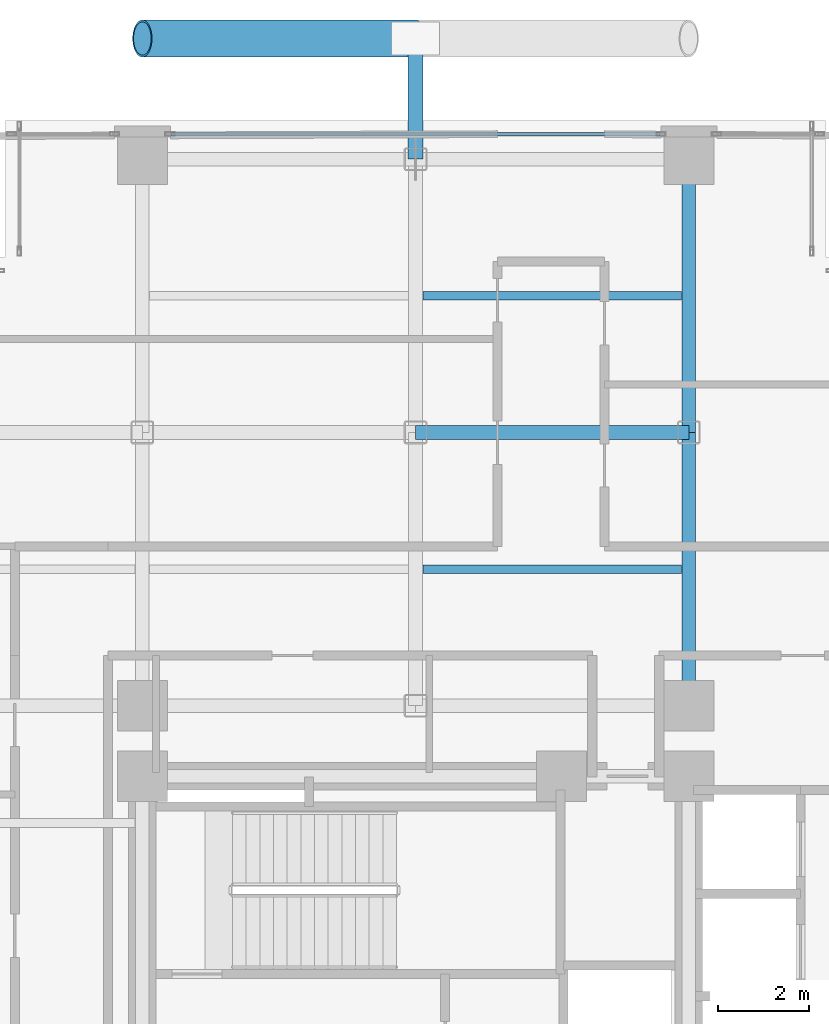
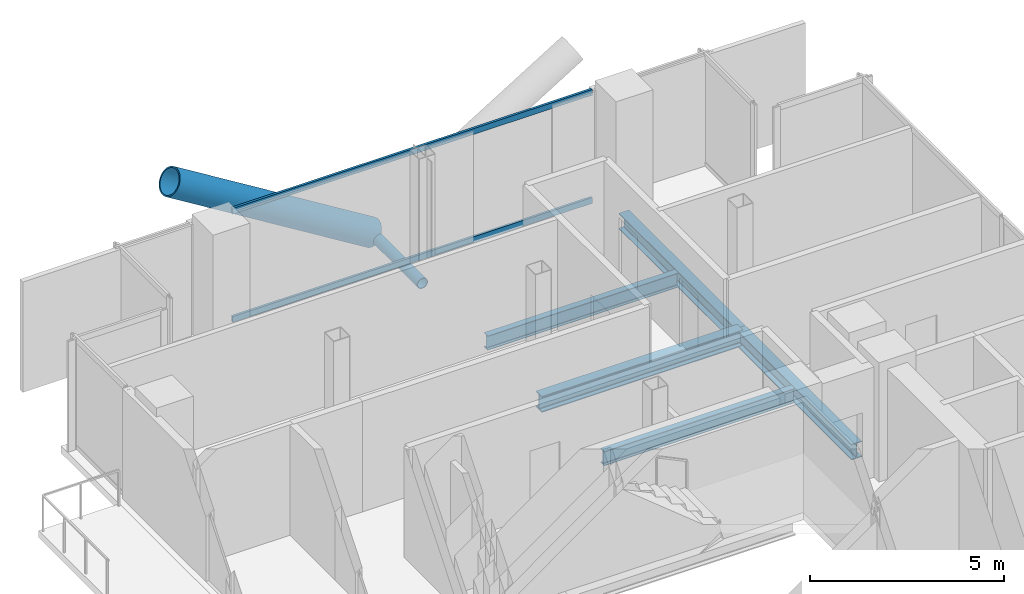
# One storey, part 16 of 28: 5 beams, 4 members, 1 element without a shape of its own.
"""IFC4 building model written with IfcOpenShell, lengths in metres."""

from ifc_helpers import new_model, si_unit, direction, frame, origin, origin_2d, place, context, subcontext, project, spatial, hollow_rectangle, hollow_circle, i_section, extrude, material, layer, layer_set, material_profile, profile_set, type_object, element, aggregate, save


model = new_model("IFC4")

# Units and contexts
model_context = context("Model", 3, precision=1e-05, world=origin(), true_north=direction((0.0, 1.0)))
body_context = subcontext(model_context, "Body", "Model", "MODEL_VIEW")
ifc_project = project(units=[si_unit("LENGTHUNIT", "METRE"), si_unit("AREAUNIT", "SQUARE_METRE"), si_unit("VOLUMEUNIT", "CUBIC_METRE"), si_unit("PLANEANGLEUNIT", "RADIAN"), si_unit("MASSUNIT", "GRAM", prefix="KILO"), si_unit("THERMODYNAMICTEMPERATUREUNIT", "KELVIN"), si_unit("POWERUNIT", "WATT")], contexts=[model_context])

# Site, building, storey
site_placement = place(None, origin())
site = spatial("IfcSite", under=ifc_project, at=site_placement, CompositionType="ELEMENT")
building_placement = place(site_placement, origin())
building = spatial("IfcBuilding", under=site, at=building_placement, Name="Svarakhadi Broadcast Tower", CompositionType="ELEMENT")
storey_placement = place(building_placement, frame((0.0, 0.0, 107.10009765625)))
storey = spatial("IfcBuildingStorey", under=building, at=storey_placement, Name="L25", CompositionType="ELEMENT", Elevation=107.10009765625)

# Beams
ifc_material_1 = material(Name="Steel S355J2 (IS 2062 E350C)", Category="steel")
ifc_material_profile_1 = material_profile(ifc_material_1, i_section(OverallWidth=0.18994140625, OverallDepth=0.449951171875, WebThickness=0.009521484375, FlangeThickness=0.0146484375, FilletRadius=0.02099609375, at=origin_2d()), Name="NPB 450x190x78")
ifc_profile_set_1 = profile_set([ifc_material_profile_1], Name="Steel S355J2 (IS 2062 E350C)")
beam_type_1 = type_object("IfcBeamType", Name="Beam_NPB450", PredefinedType="BEAM", material=ifc_profile_set_1)
for number, where, z_axis, x_axis, name in (
    (1, (12.159912109375, 32.14990234375, -0.4501953125), (1.0, 0.0, 0.0), (0.0, 1.0, 0.0), "L25 Secondary Composite Beam SB014"),
    (2, (12.159912109375, 38.14990234375, -0.4501953125), (1.0, 0.0, 0.0), (0.0, 1.0, 0.0), "L25 Secondary Composite Beam SB015"),
):
    element("IfcBeam", number, at=place(storey_placement, frame(where, z_axis=z_axis, x_axis=x_axis)), inside=storey, type_object=beam_type_1, Name=name, PredefinedType="BEAM", context=body_context, shape_type="SweptSolid", body=[
        extrude(i_section(OverallWidth=0.18994140625, OverallDepth=0.449951171875, WebThickness=0.009521484375, FlangeThickness=0.0146484375, FilletRadius=0.02099609375, at=origin_2d()), origin(), (0.0, 0.0, 1.0), 5.68017578125),
    ])

# Curtain wall, members
ifc_material_2 = material(Name="Anodised Bronze Aluminium AA 6063-T6", Category="aluminium")
ifc_layer = layer(ifc_material_2, 0.199951171875)
ifc_layer_set = layer_set([ifc_layer], Name="Anodised Bronze Aluminium AA 6063-T6")
curtain_wall_type = type_object("IfcCurtainWallType", Name="CW_Sys_03", PredefinedType="NOTDEFINED", material=ifc_layer_set)
curtain_wall_placement = place(storey_placement, origin())
curtain_wall = element("IfcCurtainWall", 3, at=curtain_wall_placement, inside=storey, type_object=curtain_wall_type, Name="L25 Unitised Facade Curtain Wall 06 Bay 2", PredefinedType="NOTDEFINED")
ifc_material_profile_2 = material_profile(ifc_material_2, hollow_rectangle(XDim=0.070068359375, YDim=0.18505859375, WallThickness=0.0048828125, at=origin_2d()), Name="ALU TRANSOM 185x70x5")
ifc_profile_set_2 = profile_set([ifc_material_profile_2], Name="Anodised Bronze Aluminium AA 6063-T6")
member_type_1 = type_object("IfcMemberType", Name="CW_Sys_03_Trn", PredefinedType="USERDEFINED", material=ifc_profile_set_2)
member_1_placement = place(storey_placement, frame((6.64501953125, 41.699951171875, 0.034912109375), z_axis=(1.0, 0.0, 0.0), x_axis=(0.0, 1.0, 0.0)))
member_1 = element("IfcMember", 4, at=member_1_placement, type_object=member_type_1, Name="CW-03 transom 1.1", ObjectType="TRANSOM", PredefinedType="USERDEFINED", context=body_context, shape_type="SweptSolid", body=[
    extrude(hollow_rectangle(XDim=0.070068359375, YDim=0.18505859375, WallThickness=0.0048828125, at=origin_2d()), origin(), (0.0, 0.0, 1.0), 10.7099609375),
])
member_2_placement = place(storey_placement, frame((6.64501953125, 41.699951171875, 3.43994140625), z_axis=(1.0, 0.0, 0.0), x_axis=(0.0, 1.0, 0.0)))
member_2 = element("IfcMember", 5, at=member_2_placement, type_object=member_type_1, Name="CW-03 transom 1.2", ObjectType="TRANSOM", PredefinedType="USERDEFINED", context=body_context, shape_type="SweptSolid", body=[
    extrude(hollow_rectangle(XDim=0.070068359375, YDim=0.18505859375, WallThickness=0.0048828125, at=origin_2d()), origin(), (0.0, 0.0, 1.0), 10.7099609375),
])
aggregate(curtain_wall, [member_1, member_2])

# Members
ifc_material_3 = material(Name="Steel S460ML (IS 2062 E450BR)", Category="steel")
ifc_material_profile_3 = material_profile(ifc_material_3, hollow_circle(Radius=0.406494140625, WallThickness=0.0400390625, at=origin_2d()), Name="CHS 813x40")
ifc_profile_set_3 = profile_set([ifc_material_profile_3], Name="Steel S460ML (IS 2062 E450BR)")
member_type_2 = type_object("IfcMemberType", Name="Exo_Brace_CHS813", PredefinedType="BRACE", material=ifc_profile_set_3)
member_3_placement = place(storey_placement, frame((12.0, 43.800048828125, -0.386962890625), z_axis=(-0.851173964427, 0.0, 0.524883684525), x_axis=(0.0, -1.0, 0.0)))
element("IfcMember", 6, at=member_3_placement, inside=storey, type_object=member_type_2, Name="L25 Exposed Bronze Exoskeleton Diagonal N10", PredefinedType="BRACE", context=body_context, shape_type="SweptSolid", body=[
    extrude(hollow_circle(Radius=0.406494140625, WallThickness=0.0400390625, at=origin_2d()), origin(), (0.0, 0.0, 1.0), 7.049072265625),
])
ifc_material_profile_4 = material_profile(ifc_material_3, hollow_circle(Radius=0.161865234375, WallThickness=0.01611328125, at=origin_2d()), Name="CHS 323.9x16")
ifc_profile_set_4 = profile_set([ifc_material_profile_4], Name="Steel S460ML (IS 2062 E450BR)")
member_type_3 = type_object("IfcMemberType", Name="Exo_Radial_Strut_Z2", PredefinedType="STRUT", material=ifc_profile_set_4)
member_4_placement = place(storey_placement, frame((12.0, 43.800048828125, -0.386962890625), z_axis=(0.0, -1.0, 0.0), x_axis=(1.0, 0.0, 0.0)))
element("IfcMember", 7, at=member_4_placement, inside=storey, type_object=member_type_3, Name="L25 Exoskeleton Radial Tie Strut N06", PredefinedType="STRUT", context=body_context, shape_type="SweptSolid", body=[
    extrude(hollow_circle(Radius=0.161865234375, WallThickness=0.01611328125, at=origin_2d()), origin(), (0.0, 0.0, 1.0), 2.650146484375),
])

# Beams
ifc_material_profile_5 = material_profile(ifc_material_1, i_section(OverallWidth=0.300048828125, OverallDepth=0.5, WebThickness=0.014404296875, FlangeThickness=0.028076171875, FilletRadius=0.027099609375, at=origin_2d()), Name="WPB 500x300x187")
ifc_profile_set_5 = profile_set([ifc_material_profile_5], Name="Steel S355J2 (IS 2062 E350C)")
beam_type_2 = type_object("IfcBeamType", Name="Girder_WPB500", PredefinedType="USERDEFINED", material=ifc_profile_set_5)
for number, where, z_axis, x_axis, name in (
    (8, (12.0, 35.14990234375, -0.47509765625), (1.0, 0.0, 0.0), (0.0, 1.0, 0.0), "L25 Primary E-W Girder G037"),
    (9, (18.0, 29.14990234375, -0.47509765625), (0.0, 1.0, 0.0), (-1.0, 0.0, 0.0), "L25 Primary N-S Girder G060"),
    (10, (18.0, 35.14990234375, -0.47509765625), (0.0, 1.0, 0.0), (-1.0, 0.0, 0.0), "L25 Primary N-S Girder G061"),
):
    element("IfcBeam", number, at=place(storey_placement, frame(where, z_axis=z_axis, x_axis=x_axis)), inside=storey, type_object=beam_type_2, Name=name, ObjectType="GIRDER", PredefinedType="USERDEFINED", context=body_context, shape_type="SweptSolid", body=[
        extrude(i_section(OverallWidth=0.300048828125, OverallDepth=0.5, WebThickness=0.014404296875, FlangeThickness=0.028076171875, FilletRadius=0.027099609375, at=origin_2d()), origin(), (0.0, 0.0, 1.0), 6.0),
    ])

save(model, "model.ifc")
